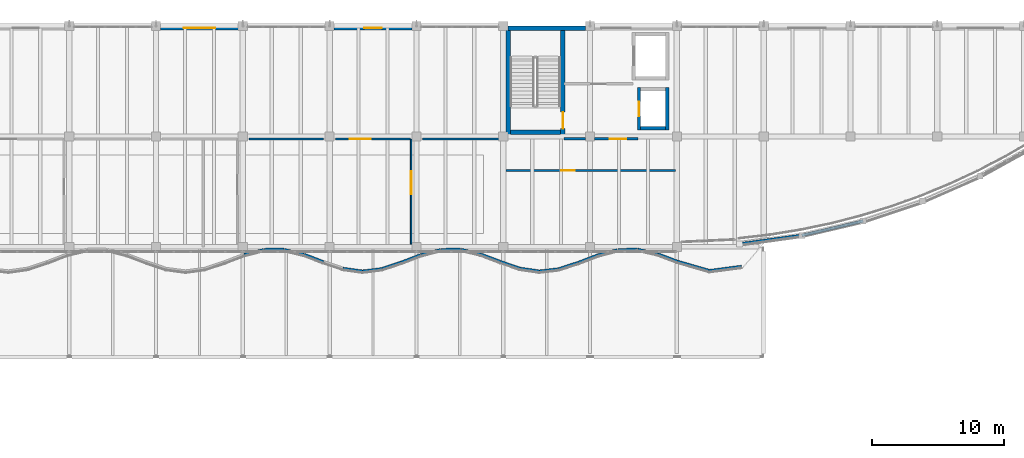
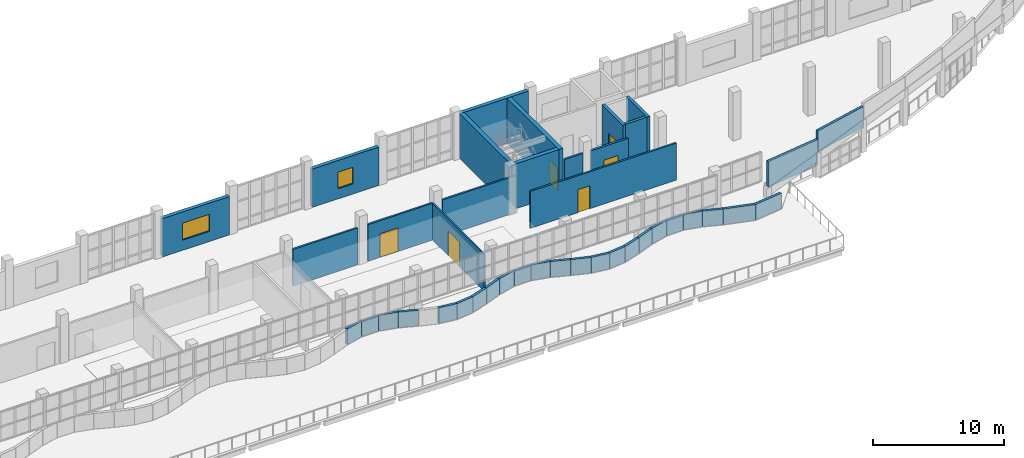
# One storey, part 54 of 83: 41 walls, 6 doors, 2 windows, 8 openings.
"""IFC4 building model written with IfcOpenShell, lengths in metres."""

from ifc_helpers import new_model, si_unit, direction, frame, frame_2d, origin, place, context, subcontext, project, spatial, rectangle, extrude, material, layer, layer_set, type_object, element, fill, save


model = new_model("IFC4")

# Units and contexts
model_context = context("Model", 3, precision=1e-05, world=origin(), true_north=direction((0.0, 1.0)))
body_context = subcontext(model_context, "Body", "Model", "MODEL_VIEW")
ifc_project = project(units=[si_unit("LENGTHUNIT", "METRE"), si_unit("AREAUNIT", "SQUARE_METRE"), si_unit("VOLUMEUNIT", "CUBIC_METRE"), si_unit("PLANEANGLEUNIT", "RADIAN"), si_unit("MASSUNIT", "GRAM", prefix="KILO")], contexts=[model_context])

# Site, building, storey
site_placement = place(None, origin())
site = spatial("IfcSite", under=ifc_project, at=site_placement, CompositionType="ELEMENT")
building_placement = place(site_placement, origin())
building = spatial("IfcBuilding", under=site, at=building_placement, Name="Qaldarim Faculty of Natural and Applied Sciences", CompositionType="ELEMENT")
storey_placement = place(building_placement, frame((0.0, 0.0, 5.39990234375)))
storey = spatial("IfcBuildingStorey", under=building, at=storey_placement, Name="L01", CompositionType="ELEMENT", Elevation=5.39990234375)

# Wall, opening, door
ifc_material_1 = material(Name="Painted gypsum partition board")
ifc_layer_1 = layer(ifc_material_1, 0.1201171875)
ifc_layer_set_1 = layer_set([ifc_layer_1], Name="Painted gypsum partition board")
wall_type_1 = type_object("IfcWallType", Name="AcousticPartition-120", PredefinedType="PARTITIONING", material=ifc_layer_set_1)
wall_1_placement = place(storey_placement, frame((92.0, 101.0, 0.0), z_axis=(0.0, 0.0, 1.0), x_axis=(0.0, 1.0, 0.0)))
wall_1 = element("IfcWall", 1, at=wall_1_placement, inside=storey, type_object=wall_type_1, Name="Interior partition PRT-L01-V4-SUB-3", PredefinedType="PARTITIONING", context=body_context, shape_type="SweptSolid", body=[
    extrude(rectangle(XDim=8.0, YDim=0.1201171875, at=frame_2d((4.0, 0.0))), origin(), (0.0, 0.0, 1.0), 3.4501953125),
])
opening_1_placement = place(wall_1_placement, frame((3.800048828125, 0.0, 0.0)))
opening_1 = element("IfcOpeningElement", 2, at=opening_1_placement, cuts=wall_1, Name="Opening ID12", PredefinedType="OPENING", context=body_context, shape_type="SweptSolid", body=[
    extrude(rectangle(XDim=1.75, YDim=2.300048828125, at=frame_2d((0.875, 1.14990234375))), frame((0.0, 0.070068359375, 0.0), z_axis=(0.0, -1.0, 0.0), x_axis=(1.0, 0.0, 0.0)), (0.0, 0.0, 1.0), 0.14013671875),
])
ifc_material_2 = material(Name="Architectural stainless steel 316", Category="steel")
door_type_1 = type_object("IfcDoorType", Name="WorkshopDoubleDoor-1750x2300", OperationType="NOTDEFINED", PredefinedType="DOOR", material=ifc_material_2)
door_1_placement = place(opening_1_placement, origin())
door_1 = element("IfcDoor", 3, at=door_1_placement, inside=storey, type_object=door_type_1, Name="Interior door D-L01-319", OperationType="SINGLE_SWING_LEFT", OverallHeight=2.300048828125, OverallWidth=1.75, PredefinedType="DOOR", context=body_context, shape_type="SweptSolid", body=[
    extrude(rectangle(XDim=1.75, YDim=2.300048828125, at=frame_2d((0.875, 1.14990234375))), frame((0.0, 0.02490234375, 0.0), z_axis=(0.0, -1.0, 0.0), x_axis=(1.0, 0.0, 0.0)), (0.0, 0.0, 1.0), 0.050048828125),
])
fill(opening_1, door_1)

# Wall
ifc_material_3 = material(Name="Concrete C50/60", Category="concrete")
ifc_layer_2 = layer(ifc_material_3, 0.360107421875)
ifc_layer_set_2 = layer_set([ifc_layer_2], Name="Concrete C50/60")
wall_type_2 = type_object("IfcWallType", Name="CoreShearWall-360", PredefinedType="SHEAR", material=ifc_layer_set_2)
wall_2_placement = place(storey_placement, frame((99.3701171875, 109.340087890625, 0.0), z_axis=(0.0, 0.0, 1.0), x_axis=(0.0, 1.0, 0.0)))
element("IfcWall", 4, at=wall_2_placement, inside=storey, type_object=wall_type_2, Name="Core stair ST-B1 west shear wall L01", PredefinedType="SHEAR", context=body_context, shape_type="SweptSolid", body=[
    extrude(rectangle(XDim=8.08984375, YDim=0.360107421875, at=frame_2d((4.044921875, 0.0))), origin(), (0.0, 0.0, 1.0), 4.2001953125),
])

# Wall, opening, door
wall_3_placement = place(storey_placement, frame((103.530029296875, 109.340087890625, 0.0), z_axis=(0.0, 0.0, 1.0), x_axis=(0.0, 1.0, 0.0)))
wall_3 = element("IfcWall", 5, at=wall_3_placement, inside=storey, type_object=wall_type_2, Name="Core stair ST-B1 east shear wall L01", PredefinedType="SHEAR", context=body_context, shape_type="SweptSolid", body=[
    extrude(rectangle(XDim=8.08984375, YDim=0.360107421875, at=frame_2d((4.044921875, 0.0))), origin(), (0.0, 0.0, 1.0), 4.2001953125),
])
opening_2_placement = place(wall_3_placement, frame((0.449951171875, 0.0, 0.0)))
opening_2 = element("IfcOpeningElement", 6, at=opening_2_placement, cuts=wall_3, Name="Opening ID04", PredefinedType="OPENING", context=body_context, shape_type="SweptSolid", body=[
    extrude(rectangle(XDim=1.25, YDim=2.14990234375, at=frame_2d((0.625, 1.074951171875))), frame((0.0, 0.18994140625, 0.0), z_axis=(0.0, -1.0, 0.0), x_axis=(1.0, 0.0, 0.0)), (0.0, 0.0, 1.0), 0.380126953125),
])
door_type_2 = type_object("IfcDoorType", Name="StairEnclosureFireDoor-1250x2150", OperationType="NOTDEFINED", PredefinedType="DOOR", material=ifc_material_2)
door_2_placement = place(opening_2_placement, origin())
door_2 = element("IfcDoor", 7, at=door_2_placement, inside=storey, type_object=door_type_2, Name="Protected stair ST-B1 fire door D-L01-528", OperationType="SINGLE_SWING_LEFT", OverallHeight=2.14990234375, OverallWidth=1.25, PredefinedType="DOOR", context=body_context, shape_type="SweptSolid", body=[
    extrude(rectangle(XDim=1.25, YDim=2.14990234375, at=frame_2d((0.625, 1.074951171875))), frame((0.0, 0.02490234375, 0.0), z_axis=(0.0, -1.0, 0.0), x_axis=(1.0, 0.0, 0.0)), (0.0, 0.0, 1.0), 0.050048828125),
])
fill(opening_2, door_2)

# Wall
wall_4_placement = place(storey_placement, frame((99.550048828125, 109.52001953125, 0.0), z_axis=(0.0, 0.0, 1.0), x_axis=(1.0, 0.0, 0.0)))
element("IfcWall", 8, at=wall_4_placement, inside=storey, type_object=wall_type_2, Name="Core stair ST-B1 south shear wall L01", PredefinedType="SHEAR", context=body_context, shape_type="SweptSolid", body=[
    extrude(rectangle(XDim=3.800048828125, YDim=0.360107421875, at=frame_2d((1.89990234375, 0.0))), origin(), (0.0, 0.0, 1.0), 4.2001953125),
])

# Wall, opening, window
ifc_material_4 = material(Name="Precast concrete C40/50", Category="concrete")
ifc_layer_3 = layer(ifc_material_4, 0.320068359375)
ifc_layer_set_3 = layer_set([ifc_layer_3], Name="Precast concrete C40/50")
wall_type_3 = type_object("IfcWallType", Name="ExteriorLimestoneWall-320", PredefinedType="SOLIDWALL", material=ifc_layer_set_3)
wall_5_placement = place(storey_placement, frame((78.85498046875, 117.43994140625, 0.0), z_axis=(0.0, 0.0, 1.0), x_axis=(-1.0, 0.0, 0.0)))
wall_5 = element("IfcWall", 9, at=wall_5_placement, inside=storey, type_object=wall_type_3, Name="Exterior wall EW01 L01 N X12Y14", PredefinedType="SOLIDWALL", context=body_context, shape_type="SweptSolid", body=[
    extrude(rectangle(XDim=5.909912109375, YDim=0.320068359375, at=frame_2d((2.955078125, 0.0))), origin(), (0.0, 0.0, 1.0), 3.585205078125),
])
opening_3_placement = place(wall_5_placement, frame((1.7548828125, 0.0, 0.949951171875)))
opening_3 = element("IfcOpeningElement", 10, at=opening_3_placement, cuts=wall_5, Name="Opening WN03", PredefinedType="OPENING", context=body_context, shape_type="SweptSolid", body=[
    extrude(rectangle(XDim=2.39990234375, YDim=1.60009765625, at=frame_2d((1.199951171875, 0.800048828125))), frame((0.0, 0.169921875, 0.0), z_axis=(0.0, -1.0, 0.0), x_axis=(1.0, 0.0, 0.0)), (0.0, 0.0, 1.0), 0.340087890625),
])
ifc_material_5 = material(Name="Insulated low-e double glazing", Category="glass")
window_type_1 = type_object("IfcWindowType", Name="Window-2400x1600", PartitioningType="TRIPLE_PANEL_VERTICAL", PredefinedType="WINDOW", material=ifc_material_5)
window_1_placement = place(opening_3_placement, origin())
window_1 = element("IfcWindow", 11, at=window_1_placement, inside=storey, type_object=window_type_1, Name="Facade window WN03 L01 N X12Y14", OverallHeight=1.60009765625, OverallWidth=2.39990234375, PartitioningType="SINGLE_PANEL", PredefinedType="WINDOW", context=body_context, shape_type="SweptSolid", body=[
    extrude(rectangle(XDim=2.39990234375, YDim=1.60009765625, at=frame_2d((1.199951171875, 0.800048828125))), frame((0.0, 0.030029296875, 0.0), z_axis=(0.0, -1.0, 0.0), x_axis=(1.0, 0.0, 0.0)), (0.0, 0.0, 1.0), 0.06005859375),
])
fill(opening_3, window_1)

wall_6_placement = place(storey_placement, frame((92.054931640625, 117.43994140625, 0.0), z_axis=(0.0, 0.0, 1.0), x_axis=(-1.0, 0.0, 0.0)))
wall_6 = element("IfcWall", 12, at=wall_6_placement, inside=storey, type_object=wall_type_3, Name="Exterior wall EW01 L01 N X14Y14", PredefinedType="SOLIDWALL", context=body_context, shape_type="SweptSolid", body=[
    extrude(rectangle(XDim=5.909912109375, YDim=0.320068359375, at=frame_2d((2.955078125, 0.0))), origin(), (0.0, 0.0, 1.0), 3.585205078125),
])
opening_4_placement = place(wall_6_placement, frame((2.280029296875, 0.0, 0.949951171875)))
opening_4 = element("IfcOpeningElement", 13, at=opening_4_placement, cuts=wall_6, Name="Opening WN09", PredefinedType="OPENING", context=body_context, shape_type="SweptSolid", body=[
    extrude(rectangle(XDim=1.35009765625, YDim=1.550048828125, at=frame_2d((0.675048828125, 0.77490234375))), frame((0.0, 0.169921875, 0.0), z_axis=(0.0, -1.0, 0.0), x_axis=(1.0, 0.0, 0.0)), (0.0, 0.0, 1.0), 0.340087890625),
])
window_type_2 = type_object("IfcWindowType", Name="LabWindow-1350x1550", PartitioningType="SINGLE_PANEL", PredefinedType="WINDOW", material=ifc_material_5)
window_2_placement = place(opening_4_placement, origin())
window_2 = element("IfcWindow", 14, at=window_2_placement, inside=storey, type_object=window_type_2, Name="Facade window WN09 L01 N X14Y14", OverallHeight=1.550048828125, OverallWidth=1.35009765625, PartitioningType="SINGLE_PANEL", PredefinedType="WINDOW", context=body_context, shape_type="SweptSolid", body=[
    extrude(rectangle(XDim=1.35009765625, YDim=1.550048828125, at=frame_2d((0.675048828125, 0.77490234375))), frame((0.0, 0.030029296875, 0.0), z_axis=(0.0, -1.0, 0.0), x_axis=(1.0, 0.0, 0.0)), (0.0, 0.0, 1.0), 0.06005859375),
])
fill(opening_4, window_2)

# Walls
ifc_layer_4 = layer(ifc_material_3, 0.340087890625)
ifc_layer_set_4 = layer_set([ifc_layer_4], Name="Concrete C50/60")
wall_type_4 = type_object("IfcWallType", Name="ExteriorStairShearWall-340", PredefinedType="SHEAR", material=ifc_layer_set_4)
wall_7_placement = place(storey_placement, frame((105.2548828125, 117.429931640625, 0.0), z_axis=(0.0, 0.0, 1.0), x_axis=(-1.0, 0.0, 0.0)))
element("IfcWall", 15, at=wall_7_placement, inside=storey, type_object=wall_type_4, Name="Exterior wall EW05 L01 N X16Y14", PredefinedType="SHEAR", context=body_context, shape_type="SweptSolid", body=[
    extrude(rectangle(XDim=5.909912109375, YDim=0.340087890625, at=frame_2d((2.955078125, 0.0))), origin(), (0.0, 0.0, 1.0), 4.2001953125),
])
ifc_material_6 = material(Name="Concrete C40/50", Category="concrete")
ifc_layer_5 = layer(ifc_material_6, 0.159912109375)
ifc_layer_set_5 = layer_set([ifc_layer_5], Name="Concrete C40/50")
wall_type_5 = type_object("IfcWallType", Name="FireCorridorWall-160", PredefinedType="PARTITIONING", material=ifc_layer_set_5)
wall_8_placement = place(storey_placement, frame((79.64990234375, 109.0, 0.0), z_axis=(0.0, 0.0, 1.0), x_axis=(1.0, 0.0, 0.0)))
element("IfcWall", 16, at=wall_8_placement, inside=storey, type_object=wall_type_5, Name="Interior partition PRT-L01-V4-CORS-S8", PredefinedType="PARTITIONING", context=body_context, shape_type="SweptSolid", body=[
    extrude(rectangle(XDim=5.7001953125, YDim=0.159912109375, at=frame_2d((2.85009765625, 0.0))), origin(), (0.0, 0.0, 1.0), 3.43505859375),
])

# Wall, opening, door
wall_9_placement = place(storey_placement, frame((86.25, 109.0, 0.0), z_axis=(0.0, 0.0, 1.0), x_axis=(1.0, 0.0, 0.0)))
wall_9 = element("IfcWall", 17, at=wall_9_placement, inside=storey, type_object=wall_type_5, Name="Interior partition PRT-L01-V4-CORS-S9", PredefinedType="PARTITIONING", context=body_context, shape_type="SweptSolid", body=[
    extrude(rectangle(XDim=5.699951171875, YDim=0.159912109375, at=frame_2d((2.85009765625, 0.0))), origin(), (0.0, 0.0, 1.0), 3.43505859375),
])
opening_5_placement = place(wall_9_placement, frame((1.070068359375, 0.0, 0.0)))
opening_5 = element("IfcOpeningElement", 18, at=opening_5_placement, cuts=wall_9, Name="Opening ID06", PredefinedType="OPENING", context=body_context, shape_type="SweptSolid", body=[
    extrude(rectangle(XDim=1.60009765625, YDim=2.199951171875, at=frame_2d((0.800048828125, 1.10009765625))), frame((0.0, 0.08984375, 0.0), z_axis=(0.0, -1.0, 0.0), x_axis=(1.0, 0.0, 0.0)), (0.0, 0.0, 1.0), 0.179931640625),
])
door_type_3 = type_object("IfcDoorType", Name="LabEquipmentDoubleDoor-1600x2200", OperationType="NOTDEFINED", PredefinedType="DOOR", material=ifc_material_2)
door_3_placement = place(opening_5_placement, origin())
door_3 = element("IfcDoor", 19, at=door_3_placement, inside=storey, type_object=door_type_3, Name="Interior door D-L01-196", OperationType="DOUBLE_DOOR_SINGLE_SWING", OverallHeight=2.199951171875, OverallWidth=1.60009765625, PredefinedType="DOOR", context=body_context, shape_type="SweptSolid", body=[
    extrude(rectangle(XDim=1.60009765625, YDim=2.199951171875, at=frame_2d((0.800048828125, 1.10009765625))), frame((0.0, 0.02490234375, 0.0), z_axis=(0.0, -1.0, 0.0), x_axis=(1.0, 0.0, 0.0)), (0.0, 0.0, 1.0), 0.050048828125),
])
fill(opening_5, door_3)

# Wall
wall_10_placement = place(storey_placement, frame((92.85009765625, 109.0, 0.0), z_axis=(0.0, 0.0, 1.0), x_axis=(1.0, 0.0, 0.0)))
element("IfcWall", 20, at=wall_10_placement, inside=storey, type_object=wall_type_5, Name="Interior partition PRT-L01-V4-CORS-S10", PredefinedType="PARTITIONING", context=body_context, shape_type="SweptSolid", body=[
    extrude(rectangle(XDim=6.449951171875, YDim=0.159912109375, at=frame_2d((3.22509765625, 0.0))), origin(), (0.0, 0.0, 1.0), 3.43505859375),
])

# Wall, opening, door
wall_11_placement = place(storey_placement, frame((99.199951171875, 106.60009765625, 0.0), z_axis=(0.0, 0.0, 1.0), x_axis=(1.0, 0.0, 0.0)))
wall_11 = element("IfcWall", 21, at=wall_11_placement, inside=storey, type_object=wall_type_5, Name="Interior partition PRT-L01-V4-PRPN", PredefinedType="PARTITIONING", context=body_context, shape_type="SweptSolid", body=[
    extrude(rectangle(XDim=12.900146484375, YDim=0.159912109375, at=frame_2d((6.4501953125, 0.0))), origin(), (0.0, 0.0, 1.0), 3.4501953125),
])
opening_6_placement = place(wall_11_placement, frame((4.199951171875, 0.0, 0.0)))
opening_6 = element("IfcOpeningElement", 22, at=opening_6_placement, cuts=wall_11, Name="Opening ID02", PredefinedType="OPENING", context=body_context, shape_type="SweptSolid", body=[
    extrude(rectangle(XDim=1.050048828125, YDim=2.14990234375, at=frame_2d((0.52490234375, 1.074951171875))), frame((0.0, 0.08984375, 0.0), z_axis=(0.0, -1.0, 0.0), x_axis=(1.0, 0.0, 0.0)), (0.0, 0.0, 1.0), 0.179931640625),
])
ifc_material_7 = material(Name="Oak hardwood", Category="wood")
door_type_4 = type_object("IfcDoorType", Name="AccessibleRoomDoor-1050x2150", OperationType="NOTDEFINED", PredefinedType="DOOR", material=ifc_material_7)
door_4_placement = place(opening_6_placement, origin())
door_4 = element("IfcDoor", 23, at=door_4_placement, inside=storey, type_object=door_type_4, Name="Interior door D-L01-392", OperationType="SINGLE_SWING_LEFT", OverallHeight=2.14990234375, OverallWidth=1.050048828125, PredefinedType="DOOR", context=body_context, shape_type="SweptSolid", body=[
    extrude(rectangle(XDim=1.050048828125, YDim=2.14990234375, at=frame_2d((0.52490234375, 1.074951171875))), frame((0.0, 0.02490234375, 0.0), z_axis=(0.0, -1.0, 0.0), x_axis=(1.0, 0.0, 0.0)), (0.0, 0.0, 1.0), 0.050048828125),
])
fill(opening_6, door_4)

# Wall
ifc_layer_6 = layer(ifc_material_6, 0.179931640625)
ifc_layer_set_6 = layer_set([ifc_layer_6], Name="Concrete C40/50")
wall_type_6 = type_object("IfcWallType", Name="LabFireCompartmentWall-180", PredefinedType="SOLIDWALL", material=ifc_layer_set_6)
wall_12_placement = place(storey_placement, frame((103.60009765625, 109.010009765625, 0.0), z_axis=(0.0, 0.0, 1.0), x_axis=(1.0, 0.0, 0.0)))
element("IfcWall", 24, at=wall_12_placement, inside=storey, type_object=wall_type_6, Name="Fire-fighting lobby south-west compartment wall Core B L01", PredefinedType="SOLIDWALL", context=body_context, shape_type="SweptSolid", body=[
    extrude(rectangle(XDim=1.64990234375, YDim=0.179931640625, at=frame_2d((0.824951171875, 0.0))), origin(), (0.0, 0.0, 1.0), 3.43505859375),
])

# Wall, opening, door
wall_13_placement = place(storey_placement, frame((105.949951171875, 109.010009765625, 0.0), z_axis=(0.0, 0.0, 1.0), x_axis=(1.0, 0.0, 0.0)))
wall_13 = element("IfcWall", 25, at=wall_13_placement, inside=storey, type_object=wall_type_6, Name="Fire-fighting lobby south compartment wall Core B L01", PredefinedType="SOLIDWALL", context=body_context, shape_type="SweptSolid", body=[
    extrude(rectangle(XDim=3.300048828125, YDim=0.179931640625, at=frame_2d((1.64990234375, 0.0))), origin(), (0.0, 0.0, 1.0), 3.43505859375),
])
opening_7_placement = place(wall_13_placement, frame((1.14990234375, 0.0, 0.0)))
opening_7 = element("IfcOpeningElement", 26, at=opening_7_placement, cuts=wall_13, Name="Opening ID04", PredefinedType="OPENING", context=body_context, shape_type="SweptSolid", body=[
    extrude(rectangle(XDim=1.25, YDim=2.14990234375, at=frame_2d((0.625, 1.074951171875))), frame((0.0, 0.099853515625, 0.0), z_axis=(0.0, -1.0, 0.0), x_axis=(1.0, 0.0, 0.0)), (0.0, 0.0, 1.0), 0.199951171875),
])
door_5_placement = place(opening_7_placement, origin())
door_5 = element("IfcDoor", 27, at=door_5_placement, inside=storey, type_object=door_type_2, Name="Fire-fighting lobby door Core B D-L01-640", OperationType="SINGLE_SWING_LEFT", OverallHeight=2.14990234375, OverallWidth=1.25, PredefinedType="DOOR", context=body_context, shape_type="SweptSolid", body=[
    extrude(rectangle(XDim=1.25, YDim=2.14990234375, at=frame_2d((0.625, 1.074951171875))), frame((0.0, 0.02490234375, 0.0), z_axis=(0.0, -1.0, 0.0), x_axis=(1.0, 0.0, 0.0)), (0.0, 0.0, 1.0), 0.050048828125),
])
fill(opening_7, door_5)

ifc_layer_7 = layer(ifc_material_6, 0.25)
ifc_layer_set_7 = layer_set([ifc_layer_7], Name="Concrete C40/50")
wall_type_7 = type_object("IfcWallType", Name="LiftShaftWall-250", PredefinedType="SHEAR", material=ifc_layer_set_7)
wall_14_placement = place(storey_placement, frame((109.324951171875, 109.699951171875, 0.0), z_axis=(0.0, 0.0, 1.0), x_axis=(0.0, 1.0, 0.0)))
wall_14 = element("IfcWall", 28, at=wall_14_placement, inside=storey, type_object=wall_type_7, Name="Lift LF-B1 front shaft wall L01", PredefinedType="SHEAR", context=body_context, shape_type="SweptSolid", body=[
    extrude(rectangle(XDim=3.199951171875, YDim=0.25, at=frame_2d((1.60009765625, 0.0))), origin(), (0.0, 0.0, 1.0), 4.2001953125),
])
opening_8_placement = place(wall_14_placement, frame((1.050048828125, 0.0, 0.0)))
opening_8 = element("IfcOpeningElement", 29, at=opening_8_placement, cuts=wall_14, Name="Opening LD01", PredefinedType="OPENING", context=body_context, shape_type="SweptSolid", body=[
    extrude(rectangle(XDim=1.10009765625, YDim=2.14990234375, at=frame_2d((0.550048828125, 1.074951171875))), frame((0.0, 0.135009765625, 0.0), z_axis=(0.0, -1.0, 0.0), x_axis=(1.0, 0.0, 0.0)), (0.0, 0.0, 1.0), 0.27001953125),
])
door_type_5 = type_object("IfcDoorType", Name="LiftLandingSlidingDoor-1100x2150", OperationType="NOTDEFINED", PredefinedType="DOOR", material=ifc_material_2)
door_6_placement = place(opening_8_placement, origin())
door_6 = element("IfcDoor", 30, at=door_6_placement, inside=storey, type_object=door_type_5, Name="Lift landing sliding door LF-B1 D-L01-624", OperationType="SLIDING_TO_LEFT", OverallHeight=2.14990234375, OverallWidth=1.10009765625, PredefinedType="DOOR", context=body_context, shape_type="SweptSolid", body=[
    extrude(rectangle(XDim=1.10009765625, YDim=2.14990234375, at=frame_2d((0.550048828125, 1.074951171875))), frame((0.0, 0.02490234375, 0.0), z_axis=(0.0, -1.0, 0.0), x_axis=(1.0, 0.0, 0.0)), (0.0, 0.0, 1.0), 0.050048828125),
])
fill(opening_8, door_6)

# Walls
wall_15_placement = place(storey_placement, frame((111.47509765625, 109.699951171875, 0.0), z_axis=(0.0, 0.0, 1.0), x_axis=(0.0, 1.0, 0.0)))
element("IfcWall", 31, at=wall_15_placement, inside=storey, type_object=wall_type_7, Name="Lift LF-B1 rear shaft wall L01", PredefinedType="SHEAR", context=body_context, shape_type="SweptSolid", body=[
    extrude(rectangle(XDim=3.199951171875, YDim=0.25, at=frame_2d((1.60009765625, 0.0))), origin(), (0.0, 0.0, 1.0), 4.2001953125),
])
wall_16_placement = place(storey_placement, frame((109.449951171875, 109.824951171875, 0.0), z_axis=(0.0, 0.0, 1.0), x_axis=(1.0, 0.0, 0.0)))
element("IfcWall", 32, at=wall_16_placement, inside=storey, type_object=wall_type_7, Name="Lift LF-B1 south shaft wall L01", PredefinedType="SHEAR", context=body_context, shape_type="SweptSolid", body=[
    extrude(rectangle(XDim=1.900146484375, YDim=0.25, at=frame_2d((0.9501953125, 0.0))), origin(), (0.0, 0.0, 1.0), 4.2001953125),
])
ifc_material_8 = material(Name="White architectural precast concrete C40/50", Category="concrete")
ifc_layer_8 = layer(ifc_material_8, 0.219970703125)
ifc_layer_set_8 = layer_set([ifc_layer_8], Name="White architectural precast concrete C40/50")
wall_type_8 = type_object("IfcWallType", Name="WhitePrecastWaveBand-220", PredefinedType="SOLIDWALL", material=ifc_layer_set_8)
wall_17_placement = place(storey_placement, frame((79.2900390625, 100.205078125, 0.0), z_axis=(0.0, 0.0, 1.0), x_axis=(0.969946501023, 0.243318279531, 0.0)))
element("IfcWall", 33, at=wall_17_placement, inside=storey, type_object=wall_type_8, Name="White precast wave spandrel band L01 chord 32", PredefinedType="SOLIDWALL", context=body_context, shape_type="SweptSolid", body=[
    extrude(rectangle(XDim=1.541259765625, YDim=0.219970703125, at=frame_2d((0.7705078125, 0.0))), origin(), (0.0, 0.0, 1.0), 1.4501953125),
])
wall_18_placement = place(storey_placement, frame((80.820068359375, 100.5849609375, 0.0), z_axis=(0.0, 0.0, 1.0), x_axis=(0.999994118661, 0.003429671157, 0.0)))
element("IfcWall", 34, at=wall_18_placement, inside=storey, type_object=wall_type_8, Name="White precast wave spandrel band L01 chord 33", PredefinedType="SOLIDWALL", context=body_context, shape_type="SweptSolid", body=[
    extrude(rectangle(XDim=1.494873046875, YDim=0.219970703125, at=frame_2d((0.74755859375, 0.0))), origin(), (0.0, 0.0, 1.0), 1.4501953125),
])
wall_19_placement = place(storey_placement, frame((82.35009765625, 100.5849609375, 0.0), z_axis=(0.0, 0.0, 1.0), x_axis=(0.971462405428, -0.237193580943, 0.0)))
element("IfcWall", 35, at=wall_19_placement, inside=storey, type_object=wall_type_8, Name="White precast wave spandrel band L01 chord 34", PredefinedType="SOLIDWALL", context=body_context, shape_type="SweptSolid", body=[
    extrude(rectangle(XDim=1.538818359375, YDim=0.219970703125, at=frame_2d((0.76953125, 0.0))), origin(), (0.0, 0.0, 1.0), 1.4501953125),
])
wall_20_placement = place(storey_placement, frame((83.860107421875, 100.215087890625, 0.0), z_axis=(0.0, 0.0, 1.0), x_axis=(0.933975237915, -0.35733773235, 0.0)))
element("IfcWall", 36, at=wall_20_placement, inside=storey, type_object=wall_type_8, Name="White precast wave spandrel band L01 chord 35", PredefinedType="SOLIDWALL", context=body_context, shape_type="SweptSolid", body=[
    extrude(rectangle(XDim=1.59521484375, YDim=0.219970703125, at=frame_2d((0.797607421875, 0.0))), origin(), (0.0, 0.0, 1.0), 1.4501953125),
])
wall_21_placement = place(storey_placement, frame((86.81494140625, 99.14990234375, 0.0), z_axis=(0.0, 0.0, 1.0), x_axis=(0.990283040801, -0.139066527611, 0.0)))
element("IfcWall", 37, at=wall_21_placement, inside=storey, type_object=wall_type_8, Name="White precast wave spandrel band L01 chord 37", PredefinedType="SOLIDWALL", context=body_context, shape_type="SweptSolid", body=[
    extrude(rectangle(XDim=1.509765625, YDim=0.219970703125, at=frame_2d((0.7548828125, 0.0))), origin(), (0.0, 0.0, 1.0), 1.4501953125),
])
wall_22_placement = place(storey_placement, frame((88.27490234375, 98.93994140625, 0.0), z_axis=(0.0, 0.0, 1.0), x_axis=(0.992426744597, 0.122837928218, 0.0)))
element("IfcWall", 38, at=wall_22_placement, inside=storey, type_object=wall_type_8, Name="White precast wave spandrel band L01 chord 38", PredefinedType="SOLIDWALL", context=body_context, shape_type="SweptSolid", body=[
    extrude(rectangle(XDim=1.506591796875, YDim=0.219970703125, at=frame_2d((0.75341796875, 0.0))), origin(), (0.0, 0.0, 1.0), 1.4501953125),
])
wall_23_placement = place(storey_placement, frame((89.739990234375, 99.1201171875, 0.0), z_axis=(0.0, 0.0, 1.0), x_axis=(0.949347780071, 0.314227294285, 0.0)))
element("IfcWall", 39, at=wall_23_placement, inside=storey, type_object=wall_type_8, Name="White precast wave spandrel band L01 chord 39", PredefinedType="SOLIDWALL", context=body_context, shape_type="SweptSolid", body=[
    extrude(rectangle(XDim=1.574951171875, YDim=0.219970703125, at=frame_2d((0.78759765625, 0.0))), origin(), (0.0, 0.0, 1.0), 1.4501953125),
])
wall_24_placement = place(storey_placement, frame((91.22998046875, 99.610107421875, 0.0), z_axis=(0.0, 0.0, 1.0), x_axis=(0.933365245405, 0.358928013215, 0.0)))
element("IfcWall", 40, at=wall_24_placement, inside=storey, type_object=wall_type_8, Name="White precast wave spandrel band L01 chord 40", PredefinedType="SOLIDWALL", context=body_context, shape_type="SweptSolid", body=[
    extrude(rectangle(XDim=1.601806640625, YDim=0.219970703125, at=frame_2d((0.80078125, 0.0))), origin(), (0.0, 0.0, 1.0), 1.4501953125),
])
wall_25_placement = place(storey_placement, frame((92.739990234375, 100.18994140625, 0.0), z_axis=(0.0, 0.0, 1.0), x_axis=(0.968406785453, 0.249375816567, 0.0)))
element("IfcWall", 41, at=wall_25_placement, inside=storey, type_object=wall_type_8, Name="White precast wave spandrel band L01 chord 41", PredefinedType="SOLIDWALL", context=body_context, shape_type="SweptSolid", body=[
    extrude(rectangle(XDim=1.5439453125, YDim=0.219970703125, at=frame_2d((0.77197265625, 0.0))), origin(), (0.0, 0.0, 1.0), 1.4501953125),
])
wall_26_placement = place(storey_placement, frame((94.27001953125, 100.580078125, 0.0), z_axis=(0.0, 0.0, 1.0), x_axis=(0.999909748969, 0.01343480246, 0.0)))
element("IfcWall", 42, at=wall_26_placement, inside=storey, type_object=wall_type_8, Name="White precast wave spandrel band L01 chord 42", PredefinedType="SOLIDWALL", context=body_context, shape_type="SweptSolid", body=[
    extrude(rectangle(XDim=1.490234375, YDim=0.219970703125, at=frame_2d((0.7451171875, 0.0))), origin(), (0.0, 0.0, 1.0), 1.4501953125),
])
wall_27_placement = place(storey_placement, frame((95.794921875, 100.594970703125, 0.0), z_axis=(0.0, 0.0, 1.0), x_axis=(0.972234340088, -0.234009375782, 0.0)))
element("IfcWall", 43, at=wall_27_placement, inside=storey, type_object=wall_type_8, Name="White precast wave spandrel band L01 chord 43", PredefinedType="SOLIDWALL", context=body_context, shape_type="SweptSolid", body=[
    extrude(rectangle(XDim=1.537841796875, YDim=0.219970703125, at=frame_2d((0.76904296875, 0.0))), origin(), (0.0, 0.0, 1.0), 1.4501953125),
])
wall_28_placement = place(storey_placement, frame((97.304931640625, 100.22998046875, 0.0), z_axis=(0.0, 0.0, 1.0), x_axis=(0.935447403013, -0.353465919427, 0.0)))
element("IfcWall", 44, at=wall_28_placement, inside=storey, type_object=wall_type_8, Name="White precast wave spandrel band L01 chord 44", PredefinedType="SOLIDWALL", context=body_context, shape_type="SweptSolid", body=[
    extrude(rectangle(XDim=1.598388671875, YDim=0.219970703125, at=frame_2d((0.79931640625, 0.0))), origin(), (0.0, 0.0, 1.0), 1.4501953125),
])
wall_29_placement = place(storey_placement, frame((98.794921875, 99.6650390625, 0.0), z_axis=(0.0, 0.0, 1.0), x_axis=(0.945454984215, -0.325752778689, 0.0)))
element("IfcWall", 45, at=wall_29_placement, inside=storey, type_object=wall_type_8, Name="White precast wave spandrel band L01 chord 45", PredefinedType="SOLIDWALL", context=body_context, shape_type="SweptSolid", body=[
    extrude(rectangle(XDim=1.581298828125, YDim=0.219970703125, at=frame_2d((0.79052734375, 0.0))), origin(), (0.0, 0.0, 1.0), 1.4501953125),
])
wall_30_placement = place(storey_placement, frame((100.264892578125, 99.159912109375, 0.0), z_axis=(0.0, 0.0, 1.0), x_axis=(0.989349557694, -0.145559103769, 0.0)))
element("IfcWall", 46, at=wall_30_placement, inside=storey, type_object=wall_type_8, Name="White precast wave spandrel band L01 chord 46", PredefinedType="SOLIDWALL", context=body_context, shape_type="SweptSolid", body=[
    extrude(rectangle(XDim=1.51123046875, YDim=0.219970703125, at=frame_2d((0.755615234375, 0.0))), origin(), (0.0, 0.0, 1.0), 1.4501953125),
])
wall_31_placement = place(storey_placement, frame((101.72509765625, 98.93994140625, 0.0), z_axis=(0.0, 0.0, 1.0), x_axis=(0.993213571972, 0.116304773984, 0.0)))
element("IfcWall", 47, at=wall_31_placement, inside=storey, type_object=wall_type_8, Name="White precast wave spandrel band L01 chord 47", PredefinedType="SOLIDWALL", context=body_context, shape_type="SweptSolid", body=[
    extrude(rectangle(XDim=1.505126953125, YDim=0.219970703125, at=frame_2d((0.75244140625, 0.0))), origin(), (0.0, 0.0, 1.0), 1.4501953125),
])
wall_32_placement = place(storey_placement, frame((103.18994140625, 99.110107421875, 0.0), z_axis=(0.0, 0.0, 1.0), x_axis=(0.95123021037, 0.30848190689, 0.0)))
element("IfcWall", 48, at=wall_32_placement, inside=storey, type_object=wall_type_8, Name="White precast wave spandrel band L01 chord 48", PredefinedType="SOLIDWALL", context=body_context, shape_type="SweptSolid", body=[
    extrude(rectangle(XDim=1.57177734375, YDim=0.219970703125, at=frame_2d((0.785888671875, 0.0))), origin(), (0.0, 0.0, 1.0), 1.4501953125),
])
wall_33_placement = place(storey_placement, frame((104.679931640625, 99.590087890625, 0.0), z_axis=(0.0, 0.0, 1.0), x_axis=(0.933365245405, 0.358928013215, 0.0)))
element("IfcWall", 49, at=wall_33_placement, inside=storey, type_object=wall_type_8, Name="White precast wave spandrel band L01 chord 49", PredefinedType="SOLIDWALL", context=body_context, shape_type="SweptSolid", body=[
    extrude(rectangle(XDim=1.601806640625, YDim=0.219970703125, at=frame_2d((0.80078125, 0.0))), origin(), (0.0, 0.0, 1.0), 1.4501953125),
])
wall_34_placement = place(storey_placement, frame((106.18994140625, 100.169921875, 0.0), z_axis=(0.0, 0.0, 1.0), x_axis=(0.966607208407, 0.256262569753, 0.0)))
element("IfcWall", 50, at=wall_34_placement, inside=storey, type_object=wall_type_8, Name="White precast wave spandrel band L01 chord 50", PredefinedType="SOLIDWALL", context=body_context, shape_type="SweptSolid", body=[
    extrude(rectangle(XDim=1.54150390625, YDim=0.219970703125, at=frame_2d((0.770751953125, 0.0))), origin(), (0.0, 0.0, 1.0), 1.4501953125),
])
wall_35_placement = place(storey_placement, frame((107.7099609375, 100.570068359375, 0.0), z_axis=(0.0, 0.0, 1.0), x_axis=(0.99972748265, 0.023344387658, 0.0)))
element("IfcWall", 51, at=wall_35_placement, inside=storey, type_object=wall_type_8, Name="White precast wave spandrel band L01 chord 51", PredefinedType="SOLIDWALL", context=body_context, shape_type="SweptSolid", body=[
    extrude(rectangle(XDim=1.49560546875, YDim=0.219970703125, at=frame_2d((0.747802734375, 0.0))), origin(), (0.0, 0.0, 1.0), 1.4501953125),
])
wall_36_placement = place(storey_placement, frame((109.239990234375, 100.60009765625, 0.0), z_axis=(0.0, 0.0, 1.0), x_axis=(0.974364373169, -0.224975706019, 0.0)))
element("IfcWall", 52, at=wall_36_placement, inside=storey, type_object=wall_type_8, Name="White precast wave spandrel band L01 chord 52", PredefinedType="SOLIDWALL", context=body_context, shape_type="SweptSolid", body=[
    extrude(rectangle(XDim=1.534423828125, YDim=0.219970703125, at=frame_2d((0.76708984375, 0.0))), origin(), (0.0, 0.0, 1.0), 1.4501953125),
])
wall_37_placement = place(storey_placement, frame((110.7548828125, 100.25, 0.0), z_axis=(0.0, 0.0, 1.0), x_axis=(0.935447403013, -0.353465919427, 0.0)))
element("IfcWall", 53, at=wall_37_placement, inside=storey, type_object=wall_type_8, Name="White precast wave spandrel band L01 chord 53", PredefinedType="SOLIDWALL", context=body_context, shape_type="SweptSolid", body=[
    extrude(rectangle(XDim=1.598388671875, YDim=0.219970703125, at=frame_2d((0.79931640625, 0.0))), origin(), (0.0, 0.0, 1.0), 1.4501953125),
])
wall_38_placement = place(storey_placement, frame((112.239990234375, 99.68994140625, 0.0), z_axis=(0.0, 0.0, 1.0), x_axis=(0.960878797288, -0.276969198509, 0.0)))
element("IfcWall", 54, at=wall_38_placement, inside=storey, type_object=wall_type_8, Name="White precast wave spandrel band L01 chord 54", PredefinedType="SOLIDWALL", context=body_context, shape_type="SweptSolid", body=[
    extrude(rectangle(XDim=2.5810546875, YDim=0.219970703125, at=frame_2d((1.29052734375, 0.0))), origin(), (0.0, 0.0, 1.0), 1.4501953125),
])
wall_39_placement = place(storey_placement, frame((114.659912109375, 98.97998046875, 0.0), z_axis=(0.0, 0.0, 1.0), x_axis=(0.991423186196, 0.13069072604, 0.0)))
element("IfcWall", 55, at=wall_39_placement, inside=storey, type_object=wall_type_8, Name="White precast wave spandrel band L01 chord 55", PredefinedType="SOLIDWALL", context=body_context, shape_type="SweptSolid", body=[
    extrude(rectangle(XDim=2.486328125, YDim=0.219970703125, at=frame_2d((1.2431640625, 0.0))), origin(), (0.0, 0.0, 1.0), 1.4501953125),
])
wall_40_placement = place(storey_placement, frame((116.97509765625, 101.02001953125, 1.025146484375), z_axis=(0.0, 0.0, 1.0), x_axis=(0.990546767509, 0.137175440138, 0.0)))
element("IfcWall", 56, at=wall_40_placement, inside=storey, type_object=wall_type_8, Name="Lifted white precast portal arch spandrel 01", PredefinedType="SOLIDWALL", context=body_context, shape_type="SweptSolid", body=[
    extrude(rectangle(XDim=4.775146484375, YDim=0.219970703125, at=frame_2d((2.3876953125, 0.0))), origin(), (0.0, 0.0, 1.0), 2.385009765625),
])
wall_41_placement = place(storey_placement, frame((121.705078125, 101.675048828125, 2.260009765625), z_axis=(0.0, 0.0, 1.0), x_axis=(0.973671059154, 0.227957602563, 0.0)))
element("IfcWall", 57, at=wall_41_placement, inside=storey, type_object=wall_type_8, Name="Lifted white precast portal arch spandrel 02", PredefinedType="SOLIDWALL", context=body_context, shape_type="SweptSolid", body=[
    extrude(rectangle(XDim=4.781005859375, YDim=0.219970703125, at=frame_2d((2.390625, 0.0))), origin(), (0.0, 0.0, 1.0), 1.940185546875),
])

save(model, "model.ifc")
